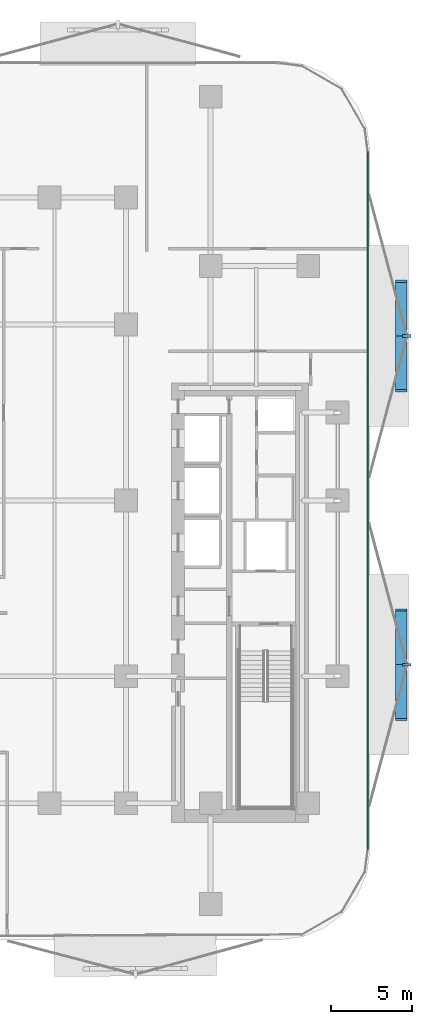
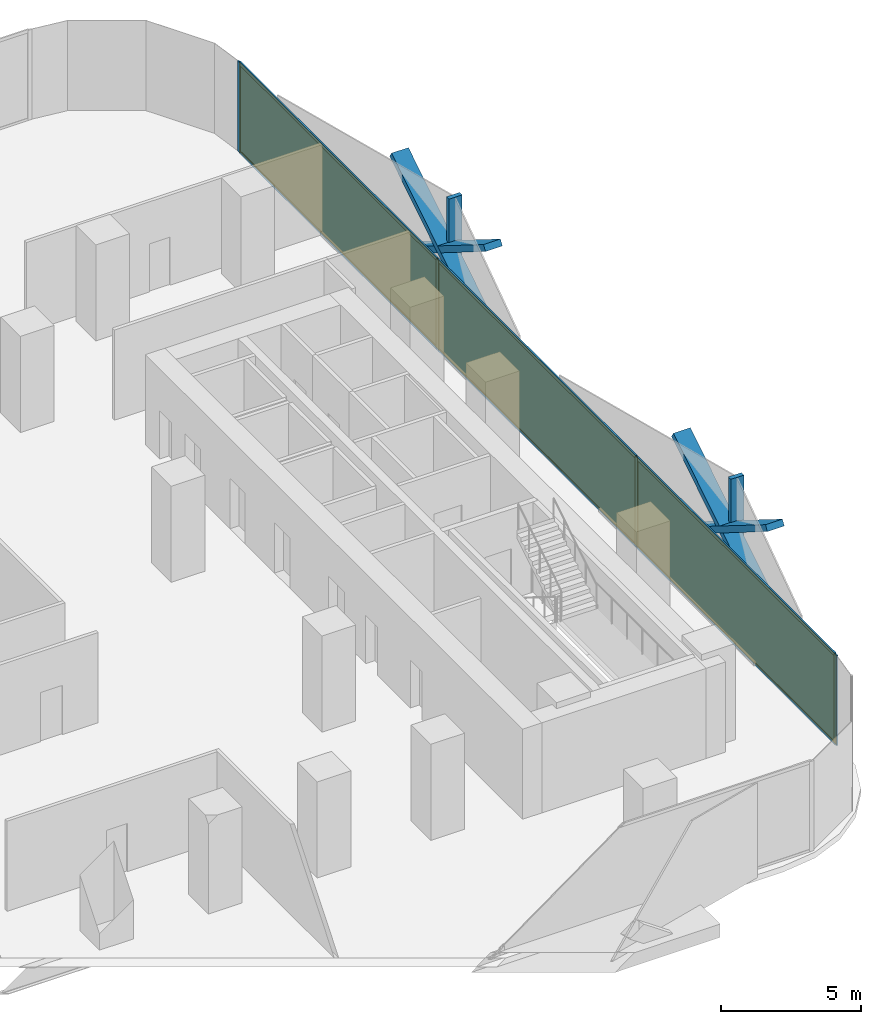
# One storey, part 9 of 15: 16 members, 3 plates, 1 curtain wall.
"""IFC4 building model written with IfcOpenShell, lengths in metres."""

from ifc_helpers import new_model, si_unit, direction, frame, frame_2d, origin, origin_2d, place, context, subcontext, project, spatial, rectangle, extrude, material, layer, layer_set, material_profile, profile_set, type_object, element, aggregate, save


model = new_model("IFC4")

# Units and contexts
model_context = context("Model", 3, precision=1e-05, world=origin(), true_north=direction((0.0, 1.0)))
body_context = subcontext(model_context, "Body", "Model", "MODEL_VIEW")
ifc_project = project(units=[si_unit("LENGTHUNIT", "METRE"), si_unit("AREAUNIT", "SQUARE_METRE"), si_unit("VOLUMEUNIT", "CUBIC_METRE"), si_unit("PLANEANGLEUNIT", "RADIAN"), si_unit("MASSUNIT", "GRAM", prefix="KILO")], contexts=[model_context])

# Member
ifc_material_1 = material(Name="Anodised Bronze Aluminium 6063-T6", Category="aluminium")
ifc_material_profile_1 = material_profile(ifc_material_1, rectangle(XDim=0.260009765625, YDim=0.699951171875, at=origin_2d()))
ifc_profile_set_1 = profile_set([ifc_material_profile_1], Name="Anodised Bronze Aluminium 6063-T6")
member_type_1 = type_object("IfcMemberType", Name="Bronze Diamond Solar-Screen Lattice Rib BDL-700", PredefinedType="MULLION", material=ifc_profile_set_1)
site_placement = place(None, origin())
building_placement = place(site_placement, origin())
storey_placement = place(building_placement, frame((0.0, 0.0, 68.0)))
member_1_placement = place(storey_placement, frame((26.10009765625, 13.46044921875, -0.1298828125), z_axis=(0.0, -0.848362902952, 0.529415134744), x_axis=(0.0, -0.529415134744, -0.848362902952)))
member_1 = element("IfcMember", 1, at=member_1_placement, type_object=member_type_1, Name="L16 Bronze Diamond Solar Screen Lattice Rib 87A", PredefinedType="MULLION", context=body_context, shape_type="SweptSolid", body=[
    extrude(rectangle(XDim=0.260009765625, YDim=0.699951171875, at=origin_2d()), origin(), (0.0, 0.0, 1.0), 7.93310546875),
])

member_2_placement = place(storey_placement, frame((26.10009765625, 6.730224609375, -0.1298828125), z_axis=(0.0, 0.848362902952, 0.529415134744), x_axis=(0.0, 0.529415134744, -0.848362902952)))
member_2 = element("IfcMember", 2, at=member_2_placement, type_object=member_type_1, Name="L16 Bronze Diamond Solar Screen Lattice Rib 87B", PredefinedType="MULLION", context=body_context, shape_type="SweptSolid", body=[
    extrude(rectangle(XDim=0.260009765625, YDim=0.699951171875, at=origin_2d()), origin(), (0.0, 0.0, 1.0), 7.93310546875),
])

member_3_placement = place(storey_placement, frame((26.10009765625, -6.730224609375, -0.1298828125), z_axis=(0.0, -0.848362902952, 0.529415134744), x_axis=(0.0, -0.529415134744, -0.848362902952)))
member_3 = element("IfcMember", 3, at=member_3_placement, type_object=member_type_1, Name="L16 Bronze Diamond Solar Screen Lattice Rib 88A", PredefinedType="MULLION", context=body_context, shape_type="SweptSolid", body=[
    extrude(rectangle(XDim=0.260009765625, YDim=0.699951171875, at=origin_2d()), origin(), (0.0, 0.0, 1.0), 7.93310546875),
])

member_4_placement = place(storey_placement, frame((26.10009765625, -13.46044921875, -0.1298828125), z_axis=(0.0, 0.848362902952, 0.529415134744), x_axis=(0.0, 0.529415134744, -0.848362902952)))
member_4 = element("IfcMember", 4, at=member_4_placement, type_object=member_type_1, Name="L16 Bronze Diamond Solar Screen Lattice Rib 88B", PredefinedType="MULLION", context=body_context, shape_type="SweptSolid", body=[
    extrude(rectangle(XDim=0.260009765625, YDim=0.699951171875, at=origin_2d()), origin(), (0.0, 0.0, 1.0), 7.93310546875),
])

ifc_material_2 = material(Name="Anodised Bronze Aluminium 6063-T6", Category="aluminium")
ifc_material_profile_2 = material_profile(ifc_material_2, rectangle(XDim=0.179931640625, YDim=0.5400390625, at=origin_2d()))
ifc_profile_set_2 = profile_set([ifc_material_profile_2], Name="Anodised Bronze Aluminium 6063-T6")
member_type_2 = type_object("IfcMemberType", Name="Bronze Solar-Screen Vertical Fold Fin BSF-540", PredefinedType="MULLION", material=ifc_profile_set_2)
member_5_placement = place(storey_placement, frame((26.43994140625, 10.095458984375, -0.1298828125), z_axis=(0.0, 0.0, 1.0), x_axis=(0.0, -1.0, 0.0)))
member_5 = element("IfcMember", 5, at=member_5_placement, type_object=member_type_2, Name="L16 Bronze Solar Screen Vertical Fin 87", PredefinedType="MULLION", context=body_context, shape_type="SweptSolid", body=[
    extrude(rectangle(XDim=0.179931640625, YDim=0.5400390625, at=origin_2d()), origin(), (0.0, 0.0, 1.0), 4.199951171875),
])

member_6_placement = place(storey_placement, frame((26.43994140625, -10.095458984375, -0.1298828125), z_axis=(0.0, 0.0, 1.0), x_axis=(0.0, -1.0, 0.0)))
member_6 = element("IfcMember", 6, at=member_6_placement, type_object=member_type_2, Name="L16 Bronze Solar Screen Vertical Fin 88", PredefinedType="MULLION", context=body_context, shape_type="SweptSolid", body=[
    extrude(rectangle(XDim=0.179931640625, YDim=0.5400390625, at=origin_2d()), origin(), (0.0, 0.0, 1.0), 4.199951171875),
])

ifc_material_3 = material(Name="Anodised Bronze Aluminium 6063-T6", Category="aluminium")
ifc_material_profile_3 = material_profile(ifc_material_3, rectangle(XDim=0.06494140625, YDim=0.179931640625, at=origin_2d()))
ifc_profile_set_3 = profile_set([ifc_material_profile_3], Name="Anodised Bronze Aluminium 6063-T6")
member_type_3 = type_object("IfcMemberType", Name="CW-Z1 Mullion 65x180", PredefinedType="MULLION", material=ifc_profile_set_3)
member_7_placement = place(storey_placement, frame((24.06005859375, 21.3583984375, 0.0), z_axis=(0.0, 0.0, 1.0), x_axis=(1.0, 0.0, 0.0)))
member_7 = element("IfcMember", 7, at=member_7_placement, type_object=member_type_3, Name="CW-Z1 mullion 1", PredefinedType="MULLION", context=body_context, shape_type="SweptSolid", body=[
    extrude(rectangle(XDim=0.06494140625, YDim=0.179931640625, at=origin_2d()), origin(), (0.0, 0.0, 1.0), 3.93994140625),
])

member_8_placement = place(storey_placement, frame((24.06005859375, 7.13037109375, 0.0), z_axis=(0.0, 0.0, 1.0), x_axis=(1.0, 0.0, 0.0)))
member_8 = element("IfcMember", 8, at=member_8_placement, type_object=member_type_3, Name="CW-Z1 mullion 2", PredefinedType="MULLION", context=body_context, shape_type="SweptSolid", body=[
    extrude(rectangle(XDim=0.06494140625, YDim=0.179931640625, at=origin_2d()), origin(), (0.0, 0.0, 1.0), 3.93994140625),
])

member_9_placement = place(storey_placement, frame((24.06005859375, -7.13037109375, 0.0), z_axis=(0.0, 0.0, 1.0), x_axis=(1.0, 0.0, 0.0)))
member_9 = element("IfcMember", 9, at=member_9_placement, type_object=member_type_3, Name="CW-Z1 mullion 3", PredefinedType="MULLION", context=body_context, shape_type="SweptSolid", body=[
    extrude(rectangle(XDim=0.06494140625, YDim=0.179931640625, at=origin_2d()), origin(), (0.0, 0.0, 1.0), 3.93994140625),
])

member_10_placement = place(storey_placement, frame((24.06005859375, -21.3583984375, 0.0), z_axis=(0.0, 0.0, 1.0), x_axis=(1.0, 0.0, 0.0)))
member_10 = element("IfcMember", 10, at=member_10_placement, type_object=member_type_3, Name="CW-Z1 mullion 4", PredefinedType="MULLION", context=body_context, shape_type="SweptSolid", body=[
    extrude(rectangle(XDim=0.06494140625, YDim=0.179931640625, at=origin_2d()), origin(), (0.0, 0.0, 1.0), 3.93994140625),
])

ifc_material_4 = material(Name="Anodised Bronze Aluminium 6063-T6", Category="aluminium")
ifc_material_profile_4 = material_profile(ifc_material_4, rectangle(XDim=0.06494140625, YDim=0.139892578125, at=origin_2d()))
ifc_profile_set_4 = profile_set([ifc_material_profile_4], Name="Anodised Bronze Aluminium 6063-T6")
member_type_4 = type_object("IfcMemberType", Name="CW-Z1 Transom 65x140", PredefinedType="USERDEFINED", material=ifc_profile_set_4)
member_11_placement = place(storey_placement, frame((24.06005859375, 21.32568359375, 0.032470703125), z_axis=(0.0, -1.0, 0.0), x_axis=(1.0, 0.0, 0.0)))
member_11 = element("IfcMember", 11, at=member_11_placement, type_object=member_type_4, Name="CW-Z1 transom 1.1", ObjectType="TRANSOM", PredefinedType="USERDEFINED", context=body_context, shape_type="SweptSolid", body=[
    extrude(rectangle(XDim=0.06494140625, YDim=0.139892578125, at=origin_2d()), origin(), (0.0, 0.0, 1.0), 14.162841796875),
])

member_12_placement = place(storey_placement, frame((24.06005859375, 21.32568359375, 3.907470703125), z_axis=(0.0, -1.0, 0.0), x_axis=(1.0, 0.0, 0.0)))
member_12 = element("IfcMember", 12, at=member_12_placement, type_object=member_type_4, Name="CW-Z1 transom 1.2", ObjectType="TRANSOM", PredefinedType="USERDEFINED", context=body_context, shape_type="SweptSolid", body=[
    extrude(rectangle(XDim=0.06494140625, YDim=0.139892578125, at=origin_2d()), origin(), (0.0, 0.0, 1.0), 14.162841796875),
])

member_13_placement = place(storey_placement, frame((24.06005859375, 7.09765625, 0.032470703125), z_axis=(0.0, -1.0, 0.0), x_axis=(1.0, 0.0, 0.0)))
member_13 = element("IfcMember", 13, at=member_13_placement, type_object=member_type_4, Name="CW-Z1 transom 2.1", ObjectType="TRANSOM", PredefinedType="USERDEFINED", context=body_context, shape_type="SweptSolid", body=[
    extrude(rectangle(XDim=0.06494140625, YDim=0.139892578125, at=origin_2d()), origin(), (0.0, 0.0, 1.0), 14.1953125),
])

member_14_placement = place(storey_placement, frame((24.06005859375, 7.09765625, 3.907470703125), z_axis=(0.0, -1.0, 0.0), x_axis=(1.0, 0.0, 0.0)))
member_14 = element("IfcMember", 14, at=member_14_placement, type_object=member_type_4, Name="CW-Z1 transom 2.2", ObjectType="TRANSOM", PredefinedType="USERDEFINED", context=body_context, shape_type="SweptSolid", body=[
    extrude(rectangle(XDim=0.06494140625, YDim=0.139892578125, at=origin_2d()), origin(), (0.0, 0.0, 1.0), 14.1953125),
])

member_15_placement = place(storey_placement, frame((24.06005859375, -7.162841796875, 0.032470703125), z_axis=(0.0, -1.0, 0.0), x_axis=(1.0, 0.0, 0.0)))
member_15 = element("IfcMember", 15, at=member_15_placement, type_object=member_type_4, Name="CW-Z1 transom 3.1", ObjectType="TRANSOM", PredefinedType="USERDEFINED", context=body_context, shape_type="SweptSolid", body=[
    extrude(rectangle(XDim=0.06494140625, YDim=0.139892578125, at=origin_2d()), origin(), (0.0, 0.0, 1.0), 14.162841796875),
])

member_16_placement = place(storey_placement, frame((24.06005859375, -7.162841796875, 3.907470703125), z_axis=(0.0, -1.0, 0.0), x_axis=(1.0, 0.0, 0.0)))
member_16 = element("IfcMember", 16, at=member_16_placement, type_object=member_type_4, Name="CW-Z1 transom 3.2", ObjectType="TRANSOM", PredefinedType="USERDEFINED", context=body_context, shape_type="SweptSolid", body=[
    extrude(rectangle(XDim=0.06494140625, YDim=0.139892578125, at=origin_2d()), origin(), (0.0, 0.0, 1.0), 14.162841796875),
])

# Plate
ifc_material_5 = material(Name="Low-E Solar Control Laminated Glass", Category="glass")
ifc_layer_1 = layer(ifc_material_5, 0.028076171875, Name="Low-E Solar Control Laminated Glass")
ifc_layer_set_1 = layer_set([ifc_layer_1], Name="Low-E Solar Control Laminated Glass")
plate_type = type_object("IfcPlateType", Name="CW-Z1 Low-E Double Glazed Panel 28mm", PredefinedType="CURTAIN_PANEL", material=ifc_layer_set_1)
plate_1_placement = place(storey_placement, frame((24.06005859375, 14.244384765625, 0.06494140625), z_axis=(0.0, 0.0, 1.0), x_axis=(0.0, -1.0, 0.0)))
plate_1 = element("IfcPlate", 17, at=plate_1_placement, type_object=plate_type, Name="CW-Z1 panel 1.1", PredefinedType="CURTAIN_PANEL", context=body_context, shape_type="SweptSolid", body=[
    extrude(rectangle(XDim=14.1630859375, YDim=0.028076171875, at=origin_2d()), origin(), (0.0, 0.0, 1.0), 3.81005859375),
])

plate_2_placement = place(storey_placement, frame((24.06005859375, 0.0, 0.06494140625), z_axis=(0.0, 0.0, 1.0), x_axis=(0.0, -1.0, 0.0)))
plate_2 = element("IfcPlate", 18, at=plate_2_placement, type_object=plate_type, Name="CW-Z1 panel 2.1", PredefinedType="CURTAIN_PANEL", context=body_context, shape_type="SweptSolid", body=[
    extrude(rectangle(XDim=14.195556640625, YDim=0.028076171875, at=origin_2d()), origin(), (0.0, 0.0, 1.0), 3.81005859375),
])

plate_3_placement = place(storey_placement, frame((24.06005859375, -14.244384765625, 0.06494140625), z_axis=(0.0, 0.0, 1.0), x_axis=(0.0, -1.0, 0.0)))
plate_3 = element("IfcPlate", 19, at=plate_3_placement, type_object=plate_type, Name="CW-Z1 panel 3.1", PredefinedType="CURTAIN_PANEL", context=body_context, shape_type="SweptSolid", body=[
    extrude(rectangle(XDim=14.1630859375, YDim=0.028076171875, at=origin_2d()), origin(), (0.0, 0.0, 1.0), 3.81005859375),
])

# Site, building, storey
site = spatial("IfcSite", under=ifc_project, at=site_placement, CompositionType="ELEMENT")
building = spatial("IfcBuilding", under=site, at=building_placement, Name="Khairoan Windgate Tower", CompositionType="ELEMENT")
storey = spatial("IfcBuildingStorey", under=building, at=storey_placement, Name="L16", CompositionType="ELEMENT", Elevation=68.0)

# Curtain wall
ifc_material_6 = material(Name="Anodised Bronze Aluminium 6063-T6", Category="aluminium")
ifc_layer_2 = layer(ifc_material_6, 0.179931640625, Name="Anodised Bronze Aluminium 6063-T6")
ifc_layer_set_2 = layer_set([ifc_layer_2], Name="Anodised Bronze Aluminium 6063-T6")
curtain_wall_type = type_object("IfcCurtainWallType", Name="Low-Rise Office Unitised Curtain Wall CW-Z1", PredefinedType="NOTDEFINED", material=ifc_layer_set_2)
curtain_wall_placement = place(storey_placement, frame((24.06005859375, 21.390869140625, 0.0), z_axis=(0.0, 0.0, 1.0), x_axis=(0.0, -1.0, 0.0)))
curtain_wall = element("IfcCurtainWall", 20, at=curtain_wall_placement, inside=storey, type_object=curtain_wall_type, Name="L16 Unitised Curtain Wall 16", PredefinedType="NOTDEFINED", context=body_context, shape_type="SweptSolid", body=[
    extrude(rectangle(XDim=42.78173828125, YDim=0.010009765625, at=frame_2d((21.390869140625, 0.0))), origin(), (0.0, 0.0, 1.0), 3.93994140625),
])

aggregate(curtain_wall, [member_7, member_8, member_9, member_10, member_11, member_12, plate_1, member_13, member_14, plate_2, member_15, member_16, plate_3, member_1, member_2, member_5, member_3, member_4, member_6])

save(model, "model.ifc")
